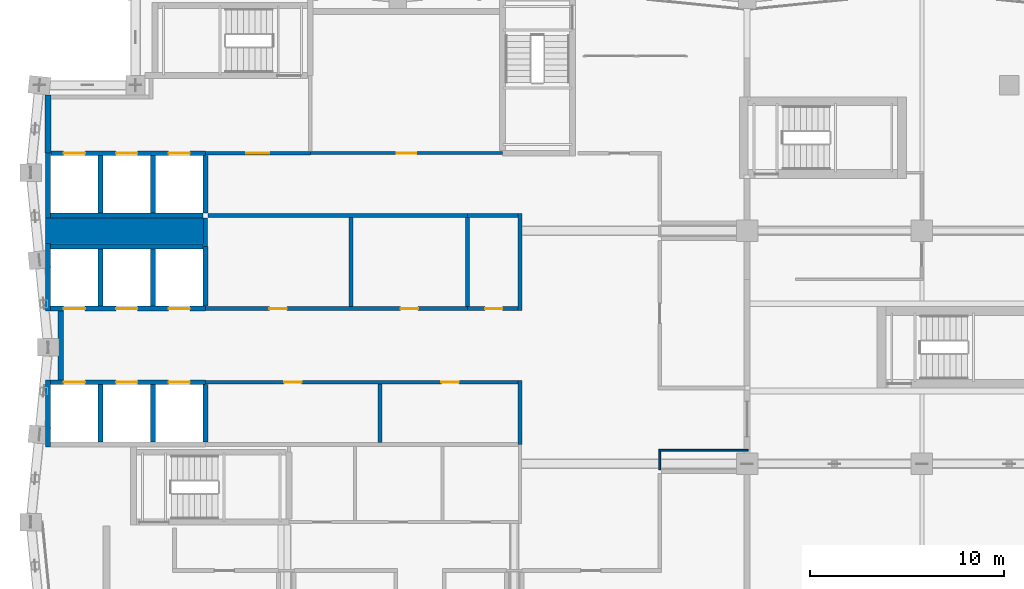
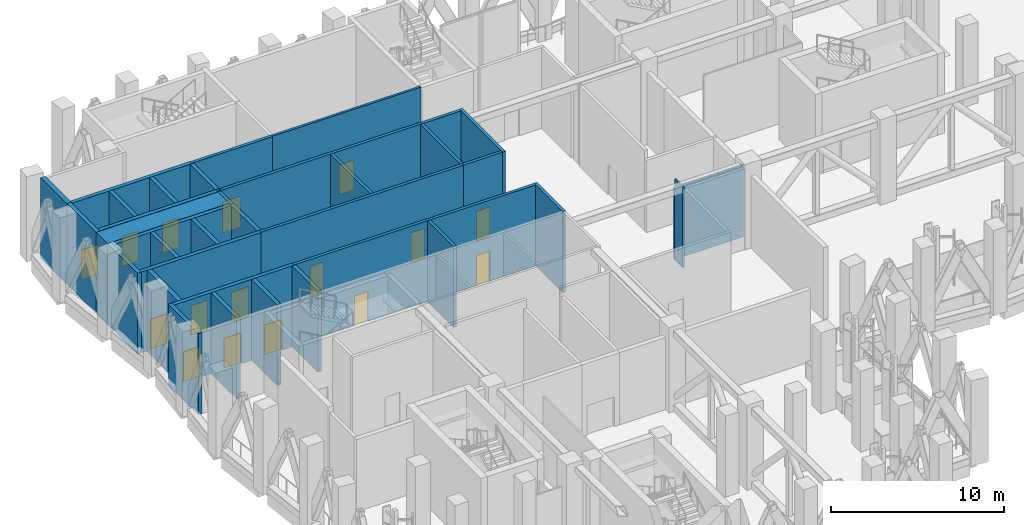
# One storey, part 16 of 28: 35 walls, 16 doors, 16 openings.
"""IFC4 building model written with IfcOpenShell, lengths in metres."""

from ifc_helpers import new_model, si_unit, direction, frame, frame_2d, origin, place, context, subcontext, project, spatial, rectangle, extrude, material, layer, layer_set, type_object, element, fill, save


model = new_model("IFC4")

# Units and contexts
model_context = context("Model", 3, precision=1e-05, world=origin(), true_north=direction((0.0, 1.0)))
body_context = subcontext(model_context, "Body", "Model", "MODEL_VIEW")
ifc_project = project(units=[si_unit("LENGTHUNIT", "METRE"), si_unit("AREAUNIT", "SQUARE_METRE"), si_unit("VOLUMEUNIT", "CUBIC_METRE"), si_unit("PLANEANGLEUNIT", "RADIAN"), si_unit("MASSUNIT", "GRAM", prefix="KILO")], contexts=[model_context])

# Site, building, storey
site_placement = place(None, origin())
site = spatial("IfcSite", under=ifc_project, at=site_placement, CompositionType="ELEMENT")
building_placement = place(site_placement, origin())
building = spatial("IfcBuilding", under=site, at=building_placement, Name="Brondeck Convention Tower", CompositionType="ELEMENT")
storey_placement = place(building_placement, frame((0.0, 0.0, 192.800048828125)))
storey = spatial("IfcBuildingStorey", under=building, at=storey_placement, Name="L47", CompositionType="ELEMENT", Elevation=192.800048828125)

# Walls
ifc_material_1 = material(Name="Concrete C70/85", Category="concrete")
ifc_layer_1 = layer(ifc_material_1, 0.199951171875)
ifc_layer_set_1 = layer_set([ifc_layer_1], Name="Core beam-seat wall 200 Concrete C70/85")
wall_type_1 = type_object("IfcWallType", Name="Core beam-seat wall 200 Concrete C70/85", PredefinedType="SHEAR", material=ifc_layer_set_1)
wall_1_placement = place(storey_placement, frame((24.300048828125, 46.89990234375, 0.0), z_axis=(0.0, 0.0, 1.0), x_axis=(0.0, 1.0, 0.0)))
element("IfcWall", 1, at=wall_1_placement, inside=storey, type_object=wall_type_1, Name="L47 core wall", PredefinedType="SHEAR", context=body_context, shape_type="SweptSolid", body=[
    extrude(rectangle(XDim=5.0, YDim=0.199951171875, at=frame_2d((2.5, 0.0))), origin(), (0.0, 0.0, 1.0), 5.699951171875),
])
ifc_layer_2 = layer(ifc_material_1, 0.300048828125)
ifc_layer_set_2 = layer_set([ifc_layer_2], Name="Core outer wall 300 Concrete C70/85")
wall_type_2 = type_object("IfcWallType", Name="Core outer wall 300 Concrete C70/85", PredefinedType="SHEAR", material=ifc_layer_set_2)
wall_2_placement = place(storey_placement, frame((0.0, 55.0, 0.0), z_axis=(0.0, 0.0, 1.0), x_axis=(0.0, 1.0, 0.0)))
element("IfcWall", 2, at=wall_2_placement, inside=storey, type_object=wall_type_2, Name="L47 core wall", PredefinedType="SHEAR", context=body_context, shape_type="SweptSolid", body=[
    extrude(rectangle(XDim=3.0, YDim=0.300048828125, at=frame_2d((1.5, 0.0))), origin(), (0.0, 0.0, 1.0), 5.699951171875),
])
wall_3_placement = place(storey_placement, frame((0.64990234375, 43.324951171875, 0.0), z_axis=(0.0, 0.0, 1.0), x_axis=(0.0, 1.0, 0.0)))
element("IfcWall", 3, at=wall_3_placement, inside=storey, type_object=wall_type_2, Name="L47 core wall", PredefinedType="SHEAR", context=body_context, shape_type="SweptSolid", body=[
    extrude(rectangle(XDim=3.550048828125, YDim=0.300048828125, at=frame_2d((1.77490234375, 0.0))), origin(), (0.0, 0.0, 1.0), 5.699951171875),
])

# Wall, opening, door
ifc_material_2 = material(Name="Fire-rated gypsum board partition")
ifc_layer_3 = layer(ifc_material_2, 0.14990234375)
ifc_layer_set_3 = layer_set([ifc_layer_3], Name="Core partition 150 EI 60")
wall_type_3 = type_object("IfcWallType", Name="Core partition 150 EI 60", PredefinedType="PARTITIONING", material=ifc_layer_set_3)
wall_4_placement = place(storey_placement, frame((13.5, 55.0, 0.0), z_axis=(0.0, 0.0, 1.0), x_axis=(1.0, 0.0, 0.0)))
wall_4 = element("IfcWall", 4, at=wall_4_placement, inside=storey, type_object=wall_type_3, Name="L47 core wall", PredefinedType="PARTITIONING", context=body_context, shape_type="SweptSolid", body=[
    extrude(rectangle(XDim=9.89990234375, YDim=0.14990234375, at=frame_2d((4.949951171875, 0.0))), origin(), (0.0, 0.0, 1.0), 5.699951171875),
])
opening_1_placement = place(wall_4_placement, frame((4.449951171875, 0.0, 0.0)))
opening_1 = element("IfcOpeningElement", 5, at=opening_1_placement, cuts=wall_4, Name="Opening C26-10", PredefinedType="OPENING", context=body_context, shape_type="SweptSolid", body=[
    extrude(rectangle(XDim=1.0, YDim=2.10009765625, at=frame_2d((0.5, 1.050048828125))), frame((0.0, 0.0849609375, 0.0), z_axis=(0.0, -1.0, 0.0), x_axis=(1.0, 0.0, 0.0)), (0.0, 0.0, 1.0), 0.169921875),
])
ifc_material_3 = material(Name="Steel fire door", Category="steel")
door_type_1 = type_object("IfcDoorType", Name="Room door 1000x2100 EI 60", OperationType="NOTDEFINED", PredefinedType="DOOR", material=ifc_material_3)
door_1_placement = place(opening_1_placement, origin())
door_1 = element("IfcDoor", 6, at=door_1_placement, inside=storey, type_object=door_type_1, Name="L47 Room door NE-1", OperationType="SINGLE_SWING_LEFT", OverallHeight=2.10009765625, OverallWidth=1.0, PredefinedType="DOOR", context=body_context, shape_type="SweptSolid", body=[
    extrude(rectangle(XDim=1.0, YDim=2.10009765625, at=frame_2d((0.5, 1.050048828125))), frame((0.0, 0.02490234375, 0.0), z_axis=(0.0, -1.0, 0.0), x_axis=(1.0, 0.0, 0.0)), (0.0, 0.0, 1.0), 0.050048828125),
])
fill(opening_1, door_1)

# Wall
ifc_layer_4 = layer(ifc_material_1, 1.300048828125)
ifc_layer_set_4 = layer_set([ifc_layer_4], Name="Core shear wall 1300 Concrete C70/85")
wall_type_4 = type_object("IfcWallType", Name="Core shear wall 1300 Concrete C70/85", PredefinedType="SHEAR", material=ifc_layer_set_4)
wall_5_placement = place(storey_placement, frame((-0.125, 51.0, 0.0), z_axis=(0.0, 0.0, 1.0), x_axis=(1.0, 0.0, 0.0)))
element("IfcWall", 7, at=wall_5_placement, inside=storey, type_object=wall_type_4, Name="L47 core wall", PredefinedType="SHEAR", context=body_context, shape_type="SweptSolid", body=[
    extrude(rectangle(XDim=8.125, YDim=1.300048828125, at=frame_2d((4.0625, 0.0))), origin(), (0.0, 0.0, 1.0), 5.699951171875),
])

# Wall, opening, door
ifc_layer_5 = layer(ifc_material_2, 0.199951171875)
ifc_layer_set_5 = layer_set([ifc_layer_5], Name="Firefighting lobby wall 200 EI 120")
wall_type_5 = type_object("IfcWallType", Name="Firefighting lobby wall 200 EI 120", PredefinedType="PARTITIONING", material=ifc_layer_set_5)
wall_6_placement = place(storey_placement, frame((8.10009765625, 55.0, 0.0), z_axis=(0.0, 0.0, 1.0), x_axis=(1.0, 0.0, 0.0)))
wall_6 = element("IfcWall", 8, at=wall_6_placement, inside=storey, type_object=wall_type_5, Name="L47 core wall", PredefinedType="PARTITIONING", context=body_context, shape_type="SweptSolid", body=[
    extrude(rectangle(XDim=5.39990234375, YDim=0.199951171875, at=frame_2d((2.699951171875, 0.0))), origin(), (0.0, 0.0, 1.0), 5.699951171875),
])
opening_2_placement = place(wall_6_placement, frame((2.10009765625, 0.0, 0.0)))
opening_2 = element("IfcOpeningElement", 9, at=opening_2_placement, cuts=wall_6, Name="Opening C26-01", PredefinedType="OPENING", context=body_context, shape_type="SweptSolid", body=[
    extrude(rectangle(XDim=1.199951171875, YDim=2.199951171875, at=frame_2d((0.60009765625, 1.10009765625))), frame((0.0, 0.10986328125, 0.0), z_axis=(0.0, -1.0, 0.0), x_axis=(1.0, 0.0, 0.0)), (0.0, 0.0, 1.0), 0.219970703125),
])
door_type_2 = type_object("IfcDoorType", Name="Firefighting lobby door 1200x2200 EI 120", OperationType="NOTDEFINED", PredefinedType="DOOR", material=ifc_material_3)
door_2_placement = place(opening_2_placement, origin())
door_2 = element("IfcDoor", 10, at=door_2_placement, inside=storey, type_object=door_type_2, Name="L47 Firefighting lobby door FFL-1", OperationType="SINGLE_SWING_RIGHT", OverallHeight=2.199951171875, OverallWidth=1.199951171875, PredefinedType="DOOR", context=body_context, shape_type="SweptSolid", body=[
    extrude(rectangle(XDim=1.199951171875, YDim=2.199951171875, at=frame_2d((0.60009765625, 1.10009765625))), frame((0.0, 0.02490234375, 0.0), z_axis=(0.0, -1.0, 0.0), x_axis=(1.0, 0.0, 0.0)), (0.0, 0.0, 1.0), 0.050048828125),
])
fill(opening_2, door_2)

# Wall, openings, doors
ifc_layer_6 = layer(ifc_material_1, 0.25)
ifc_layer_set_6 = layer_set([ifc_layer_6], Name="Lift shaft wall 250 Concrete C70/85")
wall_type_6 = type_object("IfcWallType", Name="Lift shaft wall 250 Concrete C70/85", PredefinedType="SHEAR", material=ifc_layer_set_6)
wall_7_placement = place(storey_placement, frame((0.125, 43.199951171875, 0.0), z_axis=(0.0, 0.0, 1.0), x_axis=(1.0, 0.0, 0.0)))
wall_7 = element("IfcWall", 11, at=wall_7_placement, inside=storey, type_object=wall_type_6, Name="L47 core wall", PredefinedType="SHEAR", context=body_context, shape_type="SweptSolid", body=[
    extrude(rectangle(XDim=7.97509765625, YDim=0.25, at=frame_2d((3.987548828125, 0.0))), origin(), (0.0, 0.0, 1.0), 5.699951171875),
])
opening_3_placement = place(wall_7_placement, frame((0.675048828125, 0.0, 0.0)))
opening_3 = element("IfcOpeningElement", 12, at=opening_3_placement, cuts=wall_7, Name="Opening C26-21", PredefinedType="OPENING", context=body_context, shape_type="SweptSolid", body=[
    extrude(rectangle(XDim=1.10009765625, YDim=2.10009765625, at=frame_2d((0.550048828125, 1.050048828125))), frame((0.0, 0.135009765625, 0.0), z_axis=(0.0, -1.0, 0.0), x_axis=(1.0, 0.0, 0.0)), (0.0, 0.0, 1.0), 0.27001953125),
])
opening_4_placement = place(wall_7_placement, frame((3.375, 0.0, 0.0)))
opening_4 = element("IfcOpeningElement", 13, at=opening_4_placement, cuts=wall_7, Name="Opening C26-22", PredefinedType="OPENING", context=body_context, shape_type="SweptSolid", body=[
    extrude(rectangle(XDim=1.10009765625, YDim=2.10009765625, at=frame_2d((0.550048828125, 1.050048828125))), frame((0.0, 0.135009765625, 0.0), z_axis=(0.0, -1.0, 0.0), x_axis=(1.0, 0.0, 0.0)), (0.0, 0.0, 1.0), 0.27001953125),
])
opening_5_placement = place(wall_7_placement, frame((6.074951171875, 0.0, 0.0)))
opening_5 = element("IfcOpeningElement", 14, at=opening_5_placement, cuts=wall_7, Name="Opening C26-23", PredefinedType="OPENING", context=body_context, shape_type="SweptSolid", body=[
    extrude(rectangle(XDim=1.10009765625, YDim=2.10009765625, at=frame_2d((0.550048828125, 1.050048828125))), frame((0.0, 0.135009765625, 0.0), z_axis=(0.0, -1.0, 0.0), x_axis=(1.0, 0.0, 0.0)), (0.0, 0.0, 1.0), 0.27001953125),
])
ifc_material_4 = material(Name="Stainless steel lift door", Category="steel")
door_type_3 = type_object("IfcDoorType", Name="Lift landing door 1100x2100 EI 180", OperationType="DOUBLE_DOOR_SLIDING", PredefinedType="DOOR", material=ifc_material_4)
door_3_placement = place(opening_3_placement, origin())
door_3 = element("IfcDoor", 15, at=door_3_placement, inside=storey, type_object=door_type_3, Name="L47 Lift landing door HR1", OperationType="DOUBLE_DOOR_SLIDING", OverallHeight=2.10009765625, OverallWidth=1.10009765625, PredefinedType="DOOR", context=body_context, shape_type="SweptSolid", body=[
    extrude(rectangle(XDim=1.10009765625, YDim=2.10009765625, at=frame_2d((0.550048828125, 1.050048828125))), frame((0.0, 0.02490234375, 0.0), z_axis=(0.0, -1.0, 0.0), x_axis=(1.0, 0.0, 0.0)), (0.0, 0.0, 1.0), 0.050048828125),
])
fill(opening_3, door_3)
door_4_placement = place(opening_4_placement, origin())
door_4 = element("IfcDoor", 16, at=door_4_placement, inside=storey, type_object=door_type_3, Name="L47 Lift landing door HR2", OperationType="DOUBLE_DOOR_SLIDING", OverallHeight=2.10009765625, OverallWidth=1.10009765625, PredefinedType="DOOR", context=body_context, shape_type="SweptSolid", body=[
    extrude(rectangle(XDim=1.10009765625, YDim=2.10009765625, at=frame_2d((0.550048828125, 1.050048828125))), frame((0.0, 0.02490234375, 0.0), z_axis=(0.0, -1.0, 0.0), x_axis=(1.0, 0.0, 0.0)), (0.0, 0.0, 1.0), 0.050048828125),
])
fill(opening_4, door_4)
door_5_placement = place(opening_5_placement, origin())
door_5 = element("IfcDoor", 17, at=door_5_placement, inside=storey, type_object=door_type_3, Name="L47 Lift landing door HR3", OperationType="DOUBLE_DOOR_SLIDING", OverallHeight=2.10009765625, OverallWidth=1.10009765625, PredefinedType="DOOR", context=body_context, shape_type="SweptSolid", body=[
    extrude(rectangle(XDim=1.10009765625, YDim=2.10009765625, at=frame_2d((0.550048828125, 1.050048828125))), frame((0.0, 0.02490234375, 0.0), z_axis=(0.0, -1.0, 0.0), x_axis=(1.0, 0.0, 0.0)), (0.0, 0.0, 1.0), 0.050048828125),
])
fill(opening_5, door_5)

wall_8_placement = place(storey_placement, frame((0.125, 47.0, 0.0), z_axis=(0.0, 0.0, 1.0), x_axis=(1.0, 0.0, 0.0)))
wall_8 = element("IfcWall", 18, at=wall_8_placement, inside=storey, type_object=wall_type_6, Name="L47 core wall", PredefinedType="SHEAR", context=body_context, shape_type="SweptSolid", body=[
    extrude(rectangle(XDim=7.97509765625, YDim=0.25, at=frame_2d((3.987548828125, 0.0))), origin(), (0.0, 0.0, 1.0), 5.699951171875),
])
opening_6_placement = place(wall_8_placement, frame((0.675048828125, 0.0, 0.0)))
opening_6 = element("IfcOpeningElement", 19, at=opening_6_placement, cuts=wall_8, Name="Opening C26-24", PredefinedType="OPENING", context=body_context, shape_type="SweptSolid", body=[
    extrude(rectangle(XDim=1.10009765625, YDim=2.10009765625, at=frame_2d((0.550048828125, 1.050048828125))), frame((0.0, 0.135009765625, 0.0), z_axis=(0.0, -1.0, 0.0), x_axis=(1.0, 0.0, 0.0)), (0.0, 0.0, 1.0), 0.27001953125),
])
opening_7_placement = place(wall_8_placement, frame((3.375, 0.0, 0.0)))
opening_7 = element("IfcOpeningElement", 20, at=opening_7_placement, cuts=wall_8, Name="Opening C26-25", PredefinedType="OPENING", context=body_context, shape_type="SweptSolid", body=[
    extrude(rectangle(XDim=1.10009765625, YDim=2.10009765625, at=frame_2d((0.550048828125, 1.050048828125))), frame((0.0, 0.135009765625, 0.0), z_axis=(0.0, -1.0, 0.0), x_axis=(1.0, 0.0, 0.0)), (0.0, 0.0, 1.0), 0.27001953125),
])
opening_8_placement = place(wall_8_placement, frame((6.074951171875, 0.0, 0.0)))
opening_8 = element("IfcOpeningElement", 21, at=opening_8_placement, cuts=wall_8, Name="Opening C26-26", PredefinedType="OPENING", context=body_context, shape_type="SweptSolid", body=[
    extrude(rectangle(XDim=1.10009765625, YDim=2.10009765625, at=frame_2d((0.550048828125, 1.050048828125))), frame((0.0, 0.135009765625, 0.0), z_axis=(0.0, -1.0, 0.0), x_axis=(1.0, 0.0, 0.0)), (0.0, 0.0, 1.0), 0.27001953125),
])
door_6_placement = place(opening_6_placement, origin())
door_6 = element("IfcDoor", 22, at=door_6_placement, inside=storey, type_object=door_type_3, Name="L47 Lift landing door HR4", OperationType="DOUBLE_DOOR_SLIDING", OverallHeight=2.10009765625, OverallWidth=1.10009765625, PredefinedType="DOOR", context=body_context, shape_type="SweptSolid", body=[
    extrude(rectangle(XDim=1.10009765625, YDim=2.10009765625, at=frame_2d((0.550048828125, 1.050048828125))), frame((0.0, 0.02490234375, 0.0), z_axis=(0.0, -1.0, 0.0), x_axis=(1.0, 0.0, 0.0)), (0.0, 0.0, 1.0), 0.050048828125),
])
fill(opening_6, door_6)
door_7_placement = place(opening_7_placement, origin())
door_7 = element("IfcDoor", 23, at=door_7_placement, inside=storey, type_object=door_type_3, Name="L47 Lift landing door HR5", OperationType="DOUBLE_DOOR_SLIDING", OverallHeight=2.10009765625, OverallWidth=1.10009765625, PredefinedType="DOOR", context=body_context, shape_type="SweptSolid", body=[
    extrude(rectangle(XDim=1.10009765625, YDim=2.10009765625, at=frame_2d((0.550048828125, 1.050048828125))), frame((0.0, 0.02490234375, 0.0), z_axis=(0.0, -1.0, 0.0), x_axis=(1.0, 0.0, 0.0)), (0.0, 0.0, 1.0), 0.050048828125),
])
fill(opening_7, door_7)
door_8_placement = place(opening_8_placement, origin())
door_8 = element("IfcDoor", 24, at=door_8_placement, inside=storey, type_object=door_type_3, Name="L47 Lift landing door HR6", OperationType="DOUBLE_DOOR_SLIDING", OverallHeight=2.10009765625, OverallWidth=1.10009765625, PredefinedType="DOOR", context=body_context, shape_type="SweptSolid", body=[
    extrude(rectangle(XDim=1.10009765625, YDim=2.10009765625, at=frame_2d((0.550048828125, 1.050048828125))), frame((0.0, 0.02490234375, 0.0), z_axis=(0.0, -1.0, 0.0), x_axis=(1.0, 0.0, 0.0)), (0.0, 0.0, 1.0), 0.050048828125),
])
fill(opening_8, door_8)

# Walls
for number, where, z_axis, x_axis, name in (
    (25, (0.125, 50.199951171875, 0.0), (0.0, 0.0, 1.0), (1.0, 0.0, 0.0), "L47 core wall"),
    (26, (0.125, 51.800048828125, 0.0), (0.0, 0.0, 1.0), (1.0, 0.0, 0.0), "L47 core wall"),
):
    element("IfcWall", number, at=place(storey_placement, frame(where, z_axis=z_axis, x_axis=x_axis)), inside=storey, type_object=wall_type_6, Name=name, PredefinedType="SHEAR", context=body_context, shape_type="SweptSolid", body=[
        extrude(rectangle(XDim=7.85009765625, YDim=0.25, at=frame_2d((3.925048828125, 0.0))), origin(), (0.0, 0.0, 1.0), 5.699951171875),
    ])

# Wall, openings, doors
wall_9_placement = place(storey_placement, frame((0.14990234375, 55.0, 0.0), z_axis=(0.0, 0.0, 1.0), x_axis=(1.0, 0.0, 0.0)))
wall_9 = element("IfcWall", 27, at=wall_9_placement, inside=storey, type_object=wall_type_6, Name="L47 core wall", PredefinedType="SHEAR", context=body_context, shape_type="SweptSolid", body=[
    extrude(rectangle(XDim=7.9501953125, YDim=0.25, at=frame_2d((3.97509765625, 0.0))), origin(), (0.0, 0.0, 1.0), 5.699951171875),
])
opening_9_placement = place(wall_9_placement, frame((0.64990234375, 0.0, 0.0)))
opening_9 = element("IfcOpeningElement", 28, at=opening_9_placement, cuts=wall_9, Name="Opening C26-18", PredefinedType="OPENING", context=body_context, shape_type="SweptSolid", body=[
    extrude(rectangle(XDim=1.10009765625, YDim=2.10009765625, at=frame_2d((0.550048828125, 1.050048828125))), frame((0.0, 0.135009765625, 0.0), z_axis=(0.0, -1.0, 0.0), x_axis=(1.0, 0.0, 0.0)), (0.0, 0.0, 1.0), 0.27001953125),
])
opening_10_placement = place(wall_9_placement, frame((3.35009765625, 0.0, 0.0)))
opening_10 = element("IfcOpeningElement", 29, at=opening_10_placement, cuts=wall_9, Name="Opening C26-19", PredefinedType="OPENING", context=body_context, shape_type="SweptSolid", body=[
    extrude(rectangle(XDim=1.10009765625, YDim=2.10009765625, at=frame_2d((0.550048828125, 1.050048828125))), frame((0.0, 0.135009765625, 0.0), z_axis=(0.0, -1.0, 0.0), x_axis=(1.0, 0.0, 0.0)), (0.0, 0.0, 1.0), 0.27001953125),
])
opening_11_placement = place(wall_9_placement, frame((6.050048828125, 0.0, 0.0)))
opening_11 = element("IfcOpeningElement", 30, at=opening_11_placement, cuts=wall_9, Name="Opening C26-20", PredefinedType="OPENING", context=body_context, shape_type="SweptSolid", body=[
    extrude(rectangle(XDim=1.10009765625, YDim=2.10009765625, at=frame_2d((0.550048828125, 1.050048828125))), frame((0.0, 0.135009765625, 0.0), z_axis=(0.0, -1.0, 0.0), x_axis=(1.0, 0.0, 0.0)), (0.0, 0.0, 1.0), 0.27001953125),
])
door_9_placement = place(opening_9_placement, origin())
door_9 = element("IfcDoor", 31, at=door_9_placement, inside=storey, type_object=door_type_3, Name="L47 Lift landing door FF1", OperationType="DOUBLE_DOOR_SLIDING", OverallHeight=2.10009765625, OverallWidth=1.10009765625, PredefinedType="DOOR", context=body_context, shape_type="SweptSolid", body=[
    extrude(rectangle(XDim=1.10009765625, YDim=2.10009765625, at=frame_2d((0.550048828125, 1.050048828125))), frame((0.0, 0.02490234375, 0.0), z_axis=(0.0, -1.0, 0.0), x_axis=(1.0, 0.0, 0.0)), (0.0, 0.0, 1.0), 0.050048828125),
])
fill(opening_9, door_9)
door_10_placement = place(opening_10_placement, origin())
door_10 = element("IfcDoor", 32, at=door_10_placement, inside=storey, type_object=door_type_3, Name="L47 Lift landing door FF2", OperationType="DOUBLE_DOOR_SLIDING", OverallHeight=2.10009765625, OverallWidth=1.10009765625, PredefinedType="DOOR", context=body_context, shape_type="SweptSolid", body=[
    extrude(rectangle(XDim=1.10009765625, YDim=2.10009765625, at=frame_2d((0.550048828125, 1.050048828125))), frame((0.0, 0.02490234375, 0.0), z_axis=(0.0, -1.0, 0.0), x_axis=(1.0, 0.0, 0.0)), (0.0, 0.0, 1.0), 0.050048828125),
])
fill(opening_10, door_10)
door_11_placement = place(opening_11_placement, origin())
door_11 = element("IfcDoor", 33, at=door_11_placement, inside=storey, type_object=door_type_3, Name="L47 Lift landing door FF3", OperationType="DOUBLE_DOOR_SLIDING", OverallHeight=2.10009765625, OverallWidth=1.10009765625, PredefinedType="DOOR", context=body_context, shape_type="SweptSolid", body=[
    extrude(rectangle(XDim=1.10009765625, YDim=2.10009765625, at=frame_2d((0.550048828125, 1.050048828125))), frame((0.0, 0.02490234375, 0.0), z_axis=(0.0, -1.0, 0.0), x_axis=(1.0, 0.0, 0.0)), (0.0, 0.0, 1.0), 0.050048828125),
])
fill(opening_11, door_11)

# Walls
wall_10_placement = place(storey_placement, frame((0.0, 39.875, 0.0), z_axis=(0.0, 0.0, 1.0), x_axis=(0.0, 1.0, 0.0)))
element("IfcWall", 34, at=wall_10_placement, inside=storey, type_object=wall_type_6, Name="L47 core wall", PredefinedType="SHEAR", context=body_context, shape_type="SweptSolid", body=[
    extrude(rectangle(XDim=3.449951171875, YDim=0.25, at=frame_2d((1.72509765625, 0.0))), origin(), (0.0, 0.0, 1.0), 5.699951171875),
])
wall_11_placement = place(storey_placement, frame((0.0, 46.875, 0.0), z_axis=(0.0, 0.0, 1.0), x_axis=(0.0, 1.0, 0.0)))
element("IfcWall", 35, at=wall_11_placement, inside=storey, type_object=wall_type_6, Name="L47 core wall", PredefinedType="SHEAR", context=body_context, shape_type="SweptSolid", body=[
    extrude(rectangle(XDim=3.47509765625, YDim=0.25, at=frame_2d((1.737548828125, 0.0))), origin(), (0.0, 0.0, 1.0), 5.699951171875),
])
wall_12_placement = place(storey_placement, frame((0.0, 51.64990234375, 0.0), z_axis=(0.0, 0.0, 1.0), x_axis=(0.0, 1.0, 0.0)))
element("IfcWall", 36, at=wall_12_placement, inside=storey, type_object=wall_type_6, Name="L47 core wall", PredefinedType="SHEAR", context=body_context, shape_type="SweptSolid", body=[
    extrude(rectangle(XDim=3.35009765625, YDim=0.25, at=frame_2d((1.675048828125, 0.0))), origin(), (0.0, 0.0, 1.0), 5.699951171875),
])
for number, where, z_axis, x_axis, name in (
    (37, (2.699951171875, 40.125, 0.0), (0.0, 0.0, 1.0), (0.0, 1.0, 0.0), "L47 core wall"),
    (38, (2.699951171875, 47.125, 0.0), (0.0, 0.0, 1.0), (0.0, 1.0, 0.0), "L47 core wall"),
    (39, (2.699951171875, 51.925048828125, 0.0), (0.0, 0.0, 1.0), (0.0, 1.0, 0.0), "L47 core wall"),
    (40, (5.39990234375, 40.125, 0.0), (0.0, 0.0, 1.0), (0.0, 1.0, 0.0), "L47 core wall"),
    (41, (5.39990234375, 47.125, 0.0), (0.0, 0.0, 1.0), (0.0, 1.0, 0.0), "L47 core wall"),
    (42, (5.39990234375, 51.925048828125, 0.0), (0.0, 0.0, 1.0), (0.0, 1.0, 0.0), "L47 core wall"),
    (43, (8.10009765625, 40.125, 0.0), (0.0, 0.0, 1.0), (0.0, 1.0, 0.0), "L47 core wall"),
):
    element("IfcWall", number, at=place(storey_placement, frame(where, z_axis=z_axis, x_axis=x_axis)), inside=storey, type_object=wall_type_6, Name=name, PredefinedType="SHEAR", context=body_context, shape_type="SweptSolid", body=[
        extrude(rectangle(XDim=2.949951171875, YDim=0.25, at=frame_2d((1.47509765625, 0.0))), origin(), (0.0, 0.0, 1.0), 5.699951171875),
    ])
wall_13_placement = place(storey_placement, frame((8.10009765625, 47.125, 0.0), z_axis=(0.0, 0.0, 1.0), x_axis=(0.0, 1.0, 0.0)))
element("IfcWall", 44, at=wall_13_placement, inside=storey, type_object=wall_type_6, Name="L47 core wall", PredefinedType="SHEAR", context=body_context, shape_type="SweptSolid", body=[
    extrude(rectangle(XDim=3.074951171875, YDim=0.25, at=frame_2d((1.53759765625, 0.0))), origin(), (0.0, 0.0, 1.0), 5.699951171875),
])
wall_14_placement = place(storey_placement, frame((8.10009765625, 51.925048828125, 0.0), z_axis=(0.0, 0.0, 1.0), x_axis=(0.0, 1.0, 0.0)))
element("IfcWall", 45, at=wall_14_placement, inside=storey, type_object=wall_type_6, Name="L47 core wall", PredefinedType="SHEAR", context=body_context, shape_type="SweptSolid", body=[
    extrude(rectangle(XDim=2.949951171875, YDim=0.25, at=frame_2d((1.47509765625, 0.0))), origin(), (0.0, 0.0, 1.0), 5.699951171875),
])

# Wall, openings, doors
ifc_layer_7 = layer(ifc_material_2, 0.199951171875)
ifc_layer_set_7 = layer_set([ifc_layer_7], Name="Plant room wall 200 EI 120")
wall_type_7 = type_object("IfcWallType", Name="Plant room wall 200 EI 120", PredefinedType="PARTITIONING", material=ifc_layer_set_7)
wall_15_placement = place(storey_placement, frame((8.10009765625, 43.199951171875, 0.0), z_axis=(0.0, 0.0, 1.0), x_axis=(1.0, 0.0, 0.0)))
wall_15 = element("IfcWall", 46, at=wall_15_placement, inside=storey, type_object=wall_type_7, Name="L47 core wall", PredefinedType="PARTITIONING", context=body_context, shape_type="SweptSolid", body=[
    extrude(rectangle(XDim=16.099853515625, YDim=0.199951171875, at=frame_2d((8.0498046875, 0.0))), origin(), (0.0, 0.0, 1.0), 5.699951171875),
])
opening_12_placement = place(wall_15_placement, frame((4.050048828125, 0.0, 0.0)))
opening_12 = element("IfcOpeningElement", 47, at=opening_12_placement, cuts=wall_15, Name="Opening C26-08", PredefinedType="OPENING", context=body_context, shape_type="SweptSolid", body=[
    extrude(rectangle(XDim=0.89990234375, YDim=2.10009765625, at=frame_2d((0.449951171875, 1.050048828125))), frame((0.0, 0.10986328125, 0.0), z_axis=(0.0, -1.0, 0.0), x_axis=(1.0, 0.0, 0.0)), (0.0, 0.0, 1.0), 0.219970703125),
])
opening_13_placement = place(wall_15_placement, frame((12.14990234375, 0.0, 0.0)))
opening_13 = element("IfcOpeningElement", 48, at=opening_13_placement, cuts=wall_15, Name="Opening C26-09", PredefinedType="OPENING", context=body_context, shape_type="SweptSolid", body=[
    extrude(rectangle(XDim=0.89990234375, YDim=2.10009765625, at=frame_2d((0.449951171875, 1.050048828125))), frame((0.0, 0.10986328125, 0.0), z_axis=(0.0, -1.0, 0.0), x_axis=(1.0, 0.0, 0.0)), (0.0, 0.0, 1.0), 0.219970703125),
])
door_type_4 = type_object("IfcDoorType", Name="Room door 900x2100 EI 120", OperationType="NOTDEFINED", PredefinedType="DOOR", material=ifc_material_3)
door_12_placement = place(opening_12_placement, origin())
door_12 = element("IfcDoor", 49, at=door_12_placement, inside=storey, type_object=door_type_4, Name="L47 Room door FZ-S-8.1-1", OperationType="SINGLE_SWING_RIGHT", OverallHeight=2.10009765625, OverallWidth=0.89990234375, PredefinedType="DOOR", context=body_context, shape_type="SweptSolid", body=[
    extrude(rectangle(XDim=0.89990234375, YDim=2.10009765625, at=frame_2d((0.449951171875, 1.050048828125))), frame((0.0, 0.02490234375, 0.0), z_axis=(0.0, -1.0, 0.0), x_axis=(1.0, 0.0, 0.0)), (0.0, 0.0, 1.0), 0.050048828125),
])
fill(opening_12, door_12)
door_13_placement = place(opening_13_placement, origin())
door_13 = element("IfcDoor", 50, at=door_13_placement, inside=storey, type_object=door_type_4, Name="L47 Room door FZ-S-8.1-2", OperationType="SINGLE_SWING_LEFT", OverallHeight=2.10009765625, OverallWidth=0.89990234375, PredefinedType="DOOR", context=body_context, shape_type="SweptSolid", body=[
    extrude(rectangle(XDim=0.89990234375, YDim=2.10009765625, at=frame_2d((0.449951171875, 1.050048828125))), frame((0.0, 0.02490234375, 0.0), z_axis=(0.0, -1.0, 0.0), x_axis=(1.0, 0.0, 0.0)), (0.0, 0.0, 1.0), 0.050048828125),
])
fill(opening_13, door_13)

wall_16_placement = place(storey_placement, frame((8.10009765625, 47.0, 0.0), z_axis=(0.0, 0.0, 1.0), x_axis=(1.0, 0.0, 0.0)))
wall_16 = element("IfcWall", 51, at=wall_16_placement, inside=storey, type_object=wall_type_7, Name="L47 core wall", PredefinedType="PARTITIONING", context=body_context, shape_type="SweptSolid", body=[
    extrude(rectangle(XDim=13.5, YDim=0.199951171875, at=frame_2d((6.75, 0.0))), origin(), (0.0, 0.0, 1.0), 5.699951171875),
])
opening_14_placement = place(wall_16_placement, frame((3.300048828125, 0.0, 0.0)))
opening_14 = element("IfcOpeningElement", 52, at=opening_14_placement, cuts=wall_16, Name="Opening C26-06", PredefinedType="OPENING", context=body_context, shape_type="SweptSolid", body=[
    extrude(rectangle(XDim=0.89990234375, YDim=2.10009765625, at=frame_2d((0.449951171875, 1.050048828125))), frame((0.0, 0.10986328125, 0.0), z_axis=(0.0, -1.0, 0.0), x_axis=(1.0, 0.0, 0.0)), (0.0, 0.0, 1.0), 0.219970703125),
])
opening_15_placement = place(wall_16_placement, frame((10.050048828125, 0.0, 0.0)))
opening_15 = element("IfcOpeningElement", 53, at=opening_15_placement, cuts=wall_16, Name="Opening C26-07", PredefinedType="OPENING", context=body_context, shape_type="SweptSolid", body=[
    extrude(rectangle(XDim=0.89990234375, YDim=2.10009765625, at=frame_2d((0.449951171875, 1.050048828125))), frame((0.0, 0.10986328125, 0.0), z_axis=(0.0, -1.0, 0.0), x_axis=(1.0, 0.0, 0.0)), (0.0, 0.0, 1.0), 0.219970703125),
])
door_14_placement = place(opening_14_placement, origin())
door_14 = element("IfcDoor", 54, at=door_14_placement, inside=storey, type_object=door_type_4, Name="L47 Room door FZ-N-8.1-1", OperationType="SINGLE_SWING_LEFT", OverallHeight=2.10009765625, OverallWidth=0.89990234375, PredefinedType="DOOR", context=body_context, shape_type="SweptSolid", body=[
    extrude(rectangle(XDim=0.89990234375, YDim=2.10009765625, at=frame_2d((0.449951171875, 1.050048828125))), frame((0.0, 0.02490234375, 0.0), z_axis=(0.0, -1.0, 0.0), x_axis=(1.0, 0.0, 0.0)), (0.0, 0.0, 1.0), 0.050048828125),
])
fill(opening_14, door_14)
door_15_placement = place(opening_15_placement, origin())
door_15 = element("IfcDoor", 55, at=door_15_placement, inside=storey, type_object=door_type_4, Name="L47 Room door FZ-N-8.1-2", OperationType="SINGLE_SWING_RIGHT", OverallHeight=2.10009765625, OverallWidth=0.89990234375, PredefinedType="DOOR", context=body_context, shape_type="SweptSolid", body=[
    extrude(rectangle(XDim=0.89990234375, YDim=2.10009765625, at=frame_2d((0.449951171875, 1.050048828125))), frame((0.0, 0.02490234375, 0.0), z_axis=(0.0, -1.0, 0.0), x_axis=(1.0, 0.0, 0.0)), (0.0, 0.0, 1.0), 0.050048828125),
])
fill(opening_15, door_15)

# Walls
wall_17_placement = place(storey_placement, frame((8.22509765625, 51.800048828125, 0.0), z_axis=(0.0, 0.0, 1.0), x_axis=(1.0, 0.0, 0.0)))
element("IfcWall", 56, at=wall_17_placement, inside=storey, type_object=wall_type_7, Name="L47 core wall", PredefinedType="PARTITIONING", context=body_context, shape_type="SweptSolid", body=[
    extrude(rectangle(XDim=13.375, YDim=0.199951171875, at=frame_2d((6.6875, 0.0))), origin(), (0.0, 0.0, 1.0), 5.699951171875),
])
wall_18_placement = place(storey_placement, frame((8.10009765625, 50.199951171875, 0.0), z_axis=(0.0, 0.0, 1.0), x_axis=(0.0, 1.0, 0.0)))
element("IfcWall", 57, at=wall_18_placement, inside=storey, type_object=wall_type_7, Name="L47 core wall", PredefinedType="PARTITIONING", context=body_context, shape_type="SweptSolid", body=[
    extrude(rectangle(XDim=1.47509765625, YDim=0.199951171875, at=frame_2d((0.737548828125, 0.0))), origin(), (0.0, 0.0, 1.0), 5.699951171875),
])
wall_19_placement = place(storey_placement, frame((15.60009765625, 47.10009765625, 0.0), z_axis=(0.0, 0.0, 1.0), x_axis=(0.0, 1.0, 0.0)))
element("IfcWall", 58, at=wall_19_placement, inside=storey, type_object=wall_type_7, Name="L47 core wall", PredefinedType="PARTITIONING", context=body_context, shape_type="SweptSolid", body=[
    extrude(rectangle(XDim=4.599853515625, YDim=0.199951171875, at=frame_2d((2.2998046875, 0.0))), origin(), (0.0, 0.0, 1.0), 5.699951171875),
])
wall_20_placement = place(storey_placement, frame((17.10009765625, 40.10009765625, 0.0), z_axis=(0.0, 0.0, 1.0), x_axis=(0.0, 1.0, 0.0)))
element("IfcWall", 59, at=wall_20_placement, inside=storey, type_object=wall_type_7, Name="L47 core wall", PredefinedType="PARTITIONING", context=body_context, shape_type="SweptSolid", body=[
    extrude(rectangle(XDim=3.0, YDim=0.199951171875, at=frame_2d((1.5, 0.0))), origin(), (0.0, 0.0, 1.0), 5.699951171875),
])
wall_21_placement = place(storey_placement, frame((21.60009765625, 47.10009765625, 0.0), z_axis=(0.0, 0.0, 1.0), x_axis=(0.0, 1.0, 0.0)))
element("IfcWall", 60, at=wall_21_placement, inside=storey, type_object=wall_type_7, Name="L47 core wall", PredefinedType="PARTITIONING", context=body_context, shape_type="SweptSolid", body=[
    extrude(rectangle(XDim=4.599853515625, YDim=0.199951171875, at=frame_2d((2.2998046875, 0.0))), origin(), (0.0, 0.0, 1.0), 5.699951171875),
])
wall_22_placement = place(storey_placement, frame((24.300048828125, 40.0, 0.0), z_axis=(0.0, 0.0, 1.0), x_axis=(0.0, 1.0, 0.0)))
element("IfcWall", 61, at=wall_22_placement, inside=storey, type_object=wall_type_7, Name="L47 core wall", PredefinedType="PARTITIONING", context=body_context, shape_type="SweptSolid", body=[
    extrude(rectangle(XDim=3.300048828125, YDim=0.199951171875, at=frame_2d((1.64990234375, 0.0))), origin(), (0.0, 0.0, 1.0), 5.699951171875),
])

# Wall, opening, door
ifc_layer_8 = layer(ifc_material_2, 0.199951171875)
ifc_layer_set_8 = layer_set([ifc_layer_8], Name="Riser wall 200 EI 120")
wall_type_8 = type_object("IfcWallType", Name="Riser wall 200 EI 120", PredefinedType="PARTITIONING", material=ifc_layer_set_8)
wall_23_placement = place(storey_placement, frame((21.60009765625, 47.0, 0.0), z_axis=(0.0, 0.0, 1.0), x_axis=(1.0, 0.0, 0.0)))
wall_23 = element("IfcWall", 62, at=wall_23_placement, inside=storey, type_object=wall_type_8, Name="L47 core wall", PredefinedType="PARTITIONING", context=body_context, shape_type="SweptSolid", body=[
    extrude(rectangle(XDim=2.599853515625, YDim=0.199951171875, at=frame_2d((1.2998046875, 0.0))), origin(), (0.0, 0.0, 1.0), 5.699951171875),
])
opening_16_placement = place(wall_23_placement, frame((0.89990234375, 0.0, 0.0)))
opening_16 = element("IfcOpeningElement", 63, at=opening_16_placement, cuts=wall_23, Name="Opening C26-02", PredefinedType="OPENING", context=body_context, shape_type="SweptSolid", body=[
    extrude(rectangle(XDim=0.89990234375, YDim=2.10009765625, at=frame_2d((0.449951171875, 1.050048828125))), frame((0.0, 0.10986328125, 0.0), z_axis=(0.0, -1.0, 0.0), x_axis=(1.0, 0.0, 0.0)), (0.0, 0.0, 1.0), 0.219970703125),
])
door_type_5 = type_object("IfcDoorType", Name="Riser door 900x2100 EI 120", OperationType="NOTDEFINED", PredefinedType="DOOR", material=ifc_material_3)
door_16_placement = place(opening_16_placement, origin())
door_16 = element("IfcDoor", 64, at=door_16_placement, inside=storey, type_object=door_type_5, Name="L47 Riser door EN-1", OperationType="SINGLE_SWING_LEFT", OverallHeight=2.10009765625, OverallWidth=0.89990234375, PredefinedType="DOOR", context=body_context, shape_type="SweptSolid", body=[
    extrude(rectangle(XDim=0.89990234375, YDim=2.10009765625, at=frame_2d((0.449951171875, 1.050048828125))), frame((0.0, 0.02490234375, 0.0), z_axis=(0.0, -1.0, 0.0), x_axis=(1.0, 0.0, 0.0)), (0.0, 0.0, 1.0), 0.050048828125),
])
fill(opening_16, door_16)

# Walls
wall_24_placement = place(storey_placement, frame((21.60009765625, 51.800048828125, 0.0), z_axis=(0.0, 0.0, 1.0), x_axis=(1.0, 0.0, 0.0)))
element("IfcWall", 65, at=wall_24_placement, inside=storey, type_object=wall_type_8, Name="L47 core wall", PredefinedType="PARTITIONING", context=body_context, shape_type="SweptSolid", body=[
    extrude(rectangle(XDim=2.599853515625, YDim=0.199951171875, at=frame_2d((1.2998046875, 0.0))), origin(), (0.0, 0.0, 1.0), 5.699951171875),
])
ifc_material_5 = material(Name="Gypsum board partition on steel studs", Category="steel")
ifc_layer_9 = layer(ifc_material_5, 0.10009765625)
ifc_layer_set_9 = layer_set([ifc_layer_9], Name="Room partition 100")
wall_type_9 = type_object("IfcWallType", Name="Room partition 100", PredefinedType="PARTITIONING", material=ifc_layer_set_9)
wall_25_placement = place(storey_placement, frame((31.5, 39.64990234375, 0.0), z_axis=(0.0, 0.0, 1.0), x_axis=(0.0, -1.0, 0.0)))
element("IfcWall", 66, at=wall_25_placement, inside=storey, type_object=wall_type_9, Name="FLR-L47-W031", PredefinedType="PARTITIONING", context=body_context, shape_type="SweptSolid", body=[
    extrude(rectangle(XDim=0.949951171875, YDim=0.10009765625, at=frame_2d((0.47509765625, 0.0))), origin(), (0.0, 0.0, 1.0), 5.679931640625),
])
wall_26_placement = place(storey_placement, frame((36.050048828125, 39.699951171875, 0.0), z_axis=(0.0, 0.0, 1.0), x_axis=(-1.0, 0.0, 0.0)))
element("IfcWall", 67, at=wall_26_placement, inside=storey, type_object=wall_type_9, Name="FLR-L47-W032", PredefinedType="PARTITIONING", context=body_context, shape_type="SweptSolid", body=[
    extrude(rectangle(XDim=4.60009765625, YDim=0.10009765625, at=frame_2d((2.300048828125, 0.0))), origin(), (0.0, 0.0, 1.0), 5.079833984375),
])

save(model, "model.ifc")
